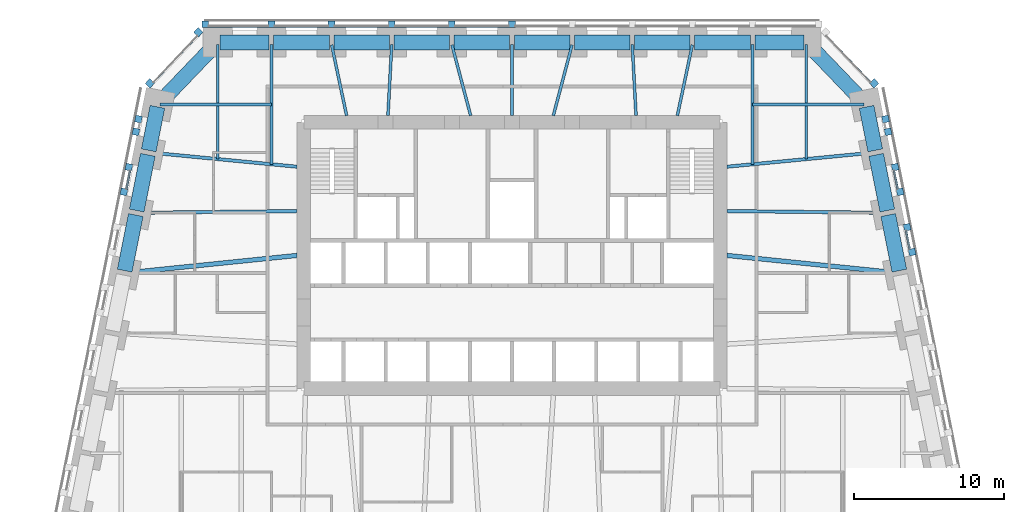
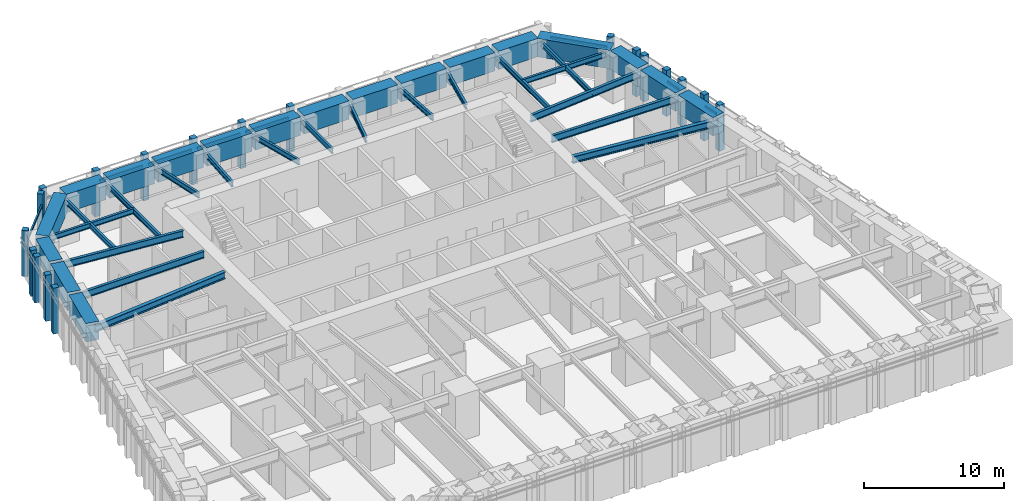
# One storey, part 4 of 16: 37 beams, 29 members, 8 elements without a shape of their own.
"""IFC4 building model written with IfcOpenShell, lengths in metres."""

from ifc_helpers import new_model, si_unit, direction, frame, origin, origin_2d, place, context, subcontext, project, spatial, rectangle, i_section, extrude, material, material_profile, profile_set, type_object, element, aggregate, save


model = new_model("IFC4")

# Units and contexts
model_context = context("Model", 3, precision=1e-05, world=origin(), true_north=direction((0.0, 1.0)))
body_context = subcontext(model_context, "Body", "Model", "MODEL_VIEW")
ifc_project = project(units=[si_unit("LENGTHUNIT", "METRE"), si_unit("AREAUNIT", "SQUARE_METRE"), si_unit("VOLUMEUNIT", "CUBIC_METRE"), si_unit("PLANEANGLEUNIT", "RADIAN"), si_unit("MASSUNIT", "GRAM", prefix="KILO")], contexts=[model_context])

# Site, building, storey
site_placement = place(None, origin())
site = spatial("IfcSite", under=ifc_project, at=site_placement, CompositionType="ELEMENT")
building_placement = place(site_placement, origin())
building = spatial("IfcBuilding", under=site, at=building_placement, Name="Isbrekke Arena Tower", CompositionType="ELEMENT")
storey_placement = place(building_placement, frame((0.0, 0.0, 40.0)))
storey = spatial("IfcBuildingStorey", under=building, at=storey_placement, Name="L07", CompositionType="ELEMENT", Elevation=40.0)

# Beams
ifc_material_1 = material(Name="Steel S355", Category="steel")
ifc_material_profile_1 = material_profile(ifc_material_1, i_section(OverallWidth=0.219970703125, OverallDepth=0.60009765625, WebThickness=0.011962890625, FlangeThickness=0.01904296875, FilletRadius=0.02392578125, at=origin_2d()), Name="IPE 600")
ifc_profile_set_1 = profile_set([ifc_material_profile_1], Name="Steel S355")
beam_type_1 = type_object("IfcBeamType", Name="B1 IPE 600", PredefinedType="BEAM", material=ifc_profile_set_1)
beam_1_placement = place(storey_placement, frame((24.83984375, 17.838134765625, 3.550048828125), z_axis=(-0.999943729589, 0.010608376645, 0.0), x_axis=(-0.010608376645, -0.999943729589, 0.0)))
element("IfcBeam", 1, at=beam_1_placement, inside=storey, type_object=beam_type_1, Name="B1 beam E-E09 L07", PredefinedType="BEAM", context=body_context, shape_type="SweptSolid", body=[
    extrude(i_section(OverallWidth=0.219970703125, OverallDepth=0.60009765625, WebThickness=0.011962890625, FlangeThickness=0.01904296875, FilletRadius=0.02392578125, at=origin_2d()), origin(), (0.0, 0.0, 1.0), 10.540283203125),
])
for number, where, z_axis, x_axis, name in (
    (2, (24.030517578125, 21.837158203125, 3.550048828125), (-0.995393091527, -0.095878012805, 0.0), (0.095878012805, -0.995393091527, 0.0), "B1 beam E-E10 L07"),
    (3, (-24.030517578125, 21.837158203125, 3.550048828125), (0.995393091527, -0.095878012805, 0.0), (0.095878012805, 0.995393091527, 0.0), "B1 beam E-W02 L07"),
):
    element("IfcBeam", number, at=place(storey_placement, frame(where, z_axis=z_axis, x_axis=x_axis)), inside=storey, type_object=beam_type_1, Name=name, PredefinedType="BEAM", context=body_context, shape_type="SweptSolid", body=[
        extrude(i_section(OverallWidth=0.219970703125, OverallDepth=0.60009765625, WebThickness=0.011962890625, FlangeThickness=0.01904296875, FilletRadius=0.02392578125, at=origin_2d()), origin(), (0.0, 0.0, 1.0), 9.775390625),
    ])
beam_2_placement = place(storey_placement, frame((-24.83984375, 17.838134765625, 3.550048828125), z_axis=(0.999943729589, 0.010608376645, 0.0), x_axis=(-0.010608376645, 0.999943729589, 0.0)))
element("IfcBeam", 4, at=beam_2_placement, inside=storey, type_object=beam_type_1, Name="B1 beam E-W03 L07", PredefinedType="BEAM", context=body_context, shape_type="SweptSolid", body=[
    extrude(i_section(OverallWidth=0.219970703125, OverallDepth=0.60009765625, WebThickness=0.011962890625, FlangeThickness=0.01904296875, FilletRadius=0.02392578125, at=origin_2d()), origin(), (0.0, 0.0, 1.0), 10.540283203125),
])
ifc_material_2 = material(Name="Steel S355", Category="steel")
ifc_material_profile_2 = material_profile(ifc_material_2, i_section(OverallWidth=0.18994140625, OverallDepth=0.449951171875, WebThickness=0.009521484375, FlangeThickness=0.0146484375, FilletRadius=0.02099609375, at=origin_2d()), Name="IPE 450")
ifc_profile_set_2 = profile_set([ifc_material_profile_2], Name="Steel S355")
beam_type_2 = type_object("IfcBeamType", Name="B2 IPE 450", PredefinedType="BEAM", material=ifc_profile_set_2)
for number, where, z_axis, x_axis, name in (
    (5, (23.40283203125, 25.029296875, 3.625), (-1.0, 0.0, 0.0), (0.0, -1.0, 0.0), "B2 beam E-E11 L07"),
    (6, (-23.40283203125, 25.029296875, 3.625), (1.0, 0.0, 0.0), (0.0, 1.0, 0.0), "B2 beam E-W01 L07"),
):
    element("IfcBeam", number, at=place(storey_placement, frame(where, z_axis=z_axis, x_axis=x_axis)), inside=storey, type_object=beam_type_2, Name=name, PredefinedType="BEAM", context=body_context, shape_type="SweptSolid", body=[
        extrude(i_section(OverallWidth=0.18994140625, OverallDepth=0.449951171875, WebThickness=0.009521484375, FlangeThickness=0.0146484375, FilletRadius=0.02099609375, at=origin_2d()), origin(), (0.0, 0.0, 1.0), 7.40283203125),
    ])
ifc_material_3 = material(Name="Steel S355", Category="steel")
ifc_material_profile_3 = material_profile(ifc_material_3, i_section(OverallWidth=0.18994140625, OverallDepth=0.449951171875, WebThickness=0.009521484375, FlangeThickness=0.0146484375, FilletRadius=0.02099609375, at=origin_2d()), Name="IPE 450")
ifc_profile_set_3 = profile_set([ifc_material_profile_3], Name="Steel S355")
beam_type_3 = type_object("IfcBeamType", Name="B3 IPE 450", PredefinedType="BEAM", material=ifc_profile_set_3)
beam_3_placement = place(storey_placement, frame((19.574951171875, 29.02490234375, 3.625), z_axis=(0.0, -1.0, 0.0), x_axis=(1.0, 0.0, 0.0)))
element("IfcBeam", 7, at=beam_3_placement, inside=storey, type_object=beam_type_3, Name="B3 beam N-N01 L07", PredefinedType="BEAM", context=body_context, shape_type="SweptSolid", body=[
    extrude(i_section(OverallWidth=0.18994140625, OverallDepth=0.449951171875, WebThickness=0.009521484375, FlangeThickness=0.0146484375, FilletRadius=0.02099609375, at=origin_2d()), origin(), (0.0, 0.0, 1.0), 7.616943359375),
])
for number, where, z_axis, x_axis, name in (
    (8, (16.0, 29.02490234375, 3.625), (0.0, -1.0, 0.0), (1.0, 0.0, 0.0), "B3 beam N-N02 L07"),
    (9, (-16.0, 29.02490234375, 3.625), (0.0, -1.0, 0.0), (1.0, 0.0, 0.0), "B3 beam N-N10 L07"),
):
    element("IfcBeam", number, at=place(storey_placement, frame(where, z_axis=z_axis, x_axis=x_axis)), inside=storey, type_object=beam_type_3, Name=name, PredefinedType="BEAM", context=body_context, shape_type="SweptSolid", body=[
        extrude(i_section(OverallWidth=0.18994140625, OverallDepth=0.449951171875, WebThickness=0.009521484375, FlangeThickness=0.0146484375, FilletRadius=0.02099609375, at=origin_2d()), origin(), (0.0, 0.0, 1.0), 7.961181640625),
    ])
beam_4_placement = place(storey_placement, frame((-19.574951171875, 29.02490234375, 3.625), z_axis=(0.0, -1.0, 0.0), x_axis=(1.0, 0.0, 0.0)))
element("IfcBeam", 10, at=beam_4_placement, inside=storey, type_object=beam_type_3, Name="B3 beam N-N11 L07", PredefinedType="BEAM", context=body_context, shape_type="SweptSolid", body=[
    extrude(i_section(OverallWidth=0.18994140625, OverallDepth=0.449951171875, WebThickness=0.009521484375, FlangeThickness=0.0146484375, FilletRadius=0.02099609375, at=origin_2d()), origin(), (0.0, 0.0, 1.0), 7.616943359375),
])
beam_5_placement = place(storey_placement, frame((11.995849609375, 29.005859375, 3.625), z_axis=(-0.207036135686, -0.978333296234, 0.0), x_axis=(0.978333296234, -0.207036135686, 0.0)))
element("IfcBeam", 11, at=beam_5_placement, inside=storey, type_object=beam_type_3, Name="B3 beam N-N03 L07", PredefinedType="BEAM", context=body_context, shape_type="SweptSolid", body=[
    extrude(i_section(OverallWidth=0.18994140625, OverallDepth=0.449951171875, WebThickness=0.009521484375, FlangeThickness=0.0146484375, FilletRadius=0.02099609375, at=origin_2d()), origin(), (0.0, 0.0, 1.0), 4.81005859375),
])
beam_6_placement = place(storey_placement, frame((8.000244140625, 29.02001953125, 3.625), z_axis=(0.05284078094, -0.998602950061, 0.0), x_axis=(0.998602950061, 0.05284078094, 0.0)))
element("IfcBeam", 12, at=beam_6_placement, inside=storey, type_object=beam_type_3, Name="B3 beam N-N04 L07", PredefinedType="BEAM", context=body_context, shape_type="SweptSolid", body=[
    extrude(i_section(OverallWidth=0.18994140625, OverallDepth=0.449951171875, WebThickness=0.009521484375, FlangeThickness=0.0146484375, FilletRadius=0.02099609375, at=origin_2d()), origin(), (0.0, 0.0, 1.0), 4.7265625),
])
beam_7_placement = place(storey_placement, frame((3.993896484375, 29.00146484375, 3.625), z_axis=(-0.255778031922, -0.966735536942, 0.0), x_axis=(0.966735536942, -0.255778031922, 0.0)))
element("IfcBeam", 13, at=beam_7_placement, inside=storey, type_object=beam_type_3, Name="B3 beam N-N05 L07", PredefinedType="BEAM", context=body_context, shape_type="SweptSolid", body=[
    extrude(i_section(OverallWidth=0.18994140625, OverallDepth=0.449951171875, WebThickness=0.009521484375, FlangeThickness=0.0146484375, FilletRadius=0.02099609375, at=origin_2d()), origin(), (0.0, 0.0, 1.0), 4.86328125),
])
beam_8_placement = place(storey_placement, frame((0.0, 29.02490234375, 3.625), z_axis=(0.0, -1.0, 0.0), x_axis=(1.0, 0.0, 0.0)))
element("IfcBeam", 14, at=beam_8_placement, inside=storey, type_object=beam_type_3, Name="B3 beam N-N06 L07", PredefinedType="BEAM", context=body_context, shape_type="SweptSolid", body=[
    extrude(i_section(OverallWidth=0.18994140625, OverallDepth=0.449951171875, WebThickness=0.009521484375, FlangeThickness=0.0146484375, FilletRadius=0.02099609375, at=origin_2d()), origin(), (0.0, 0.0, 1.0), 4.724853515625),
])
beam_9_placement = place(storey_placement, frame((-3.993896484375, 29.00146484375, 3.625), z_axis=(0.255778031922, -0.966735536942, 0.0), x_axis=(0.966735536942, 0.255778031922, 0.0)))
element("IfcBeam", 15, at=beam_9_placement, inside=storey, type_object=beam_type_3, Name="B3 beam N-N07 L07", PredefinedType="BEAM", context=body_context, shape_type="SweptSolid", body=[
    extrude(i_section(OverallWidth=0.18994140625, OverallDepth=0.449951171875, WebThickness=0.009521484375, FlangeThickness=0.0146484375, FilletRadius=0.02099609375, at=origin_2d()), origin(), (0.0, 0.0, 1.0), 4.86328125),
])
beam_10_placement = place(storey_placement, frame((-8.000244140625, 29.02001953125, 3.625), z_axis=(-0.05284078094, -0.998602950061, 0.0), x_axis=(0.998602950061, -0.05284078094, 0.0)))
element("IfcBeam", 16, at=beam_10_placement, inside=storey, type_object=beam_type_3, Name="B3 beam N-N08 L07", PredefinedType="BEAM", context=body_context, shape_type="SweptSolid", body=[
    extrude(i_section(OverallWidth=0.18994140625, OverallDepth=0.449951171875, WebThickness=0.009521484375, FlangeThickness=0.0146484375, FilletRadius=0.02099609375, at=origin_2d()), origin(), (0.0, 0.0, 1.0), 4.7265625),
])
beam_11_placement = place(storey_placement, frame((-11.995849609375, 29.005859375, 3.625), z_axis=(0.207036135686, -0.978333296234, 0.0), x_axis=(0.978333296234, 0.207036135686, 0.0)))
element("IfcBeam", 17, at=beam_11_placement, inside=storey, type_object=beam_type_3, Name="B3 beam N-N09 L07", PredefinedType="BEAM", context=body_context, shape_type="SweptSolid", body=[
    extrude(i_section(OverallWidth=0.18994140625, OverallDepth=0.449951171875, WebThickness=0.009521484375, FlangeThickness=0.0146484375, FilletRadius=0.02099609375, at=origin_2d()), origin(), (0.0, 0.0, 1.0), 4.81005859375),
])
ifc_material_4 = material(Name="Steel S355", Category="steel")
ifc_material_profile_4 = material_profile(ifc_material_4, i_section(OverallWidth=0.300048828125, OverallDepth=0.60009765625, WebThickness=0.015380859375, FlangeThickness=0.030029296875, FilletRadius=0.027099609375, at=origin_2d()), Name="HEB 600")
ifc_profile_set_4 = profile_set([ifc_material_profile_4], Name="Steel S355")
beam_type_4 = type_object("IfcBeamType", Name="B7 HEB 600", PredefinedType="BEAM", material=ifc_profile_set_4)
for number, where, z_axis, x_axis, name in (
    (18, (25.625732421875, 13.83984375, 3.550048828125), (-0.994794378016, 0.101902627384, 0.0), (-0.101902627384, -0.994794378016, 0.0), "B7 beam E-E08 L07"),
    (19, (-25.625732421875, 13.83984375, 3.550048828125), (0.994794378016, 0.101902627384, 0.0), (-0.101902627384, 0.994794378016, 0.0), "B7 beam E-W04 L07"),
):
    element("IfcBeam", number, at=place(storey_placement, frame(where, z_axis=z_axis, x_axis=x_axis)), inside=storey, type_object=beam_type_4, Name=name, PredefinedType="BEAM", context=body_context, shape_type="SweptSolid", body=[
        extrude(i_section(OverallWidth=0.300048828125, OverallDepth=0.60009765625, WebThickness=0.015380859375, FlangeThickness=0.030029296875, FilletRadius=0.027099609375, at=origin_2d()), origin(), (0.0, 0.0, 1.0), 11.385009765625),
    ])

# Curtain wall, members
ifc_material_5 = material(Name="Glazed aluminium curtain wall", Category="aluminium")
curtain_wall_type = type_object("IfcCurtainWallType", Name="CWL TOWER CURTAIN WALL LOW ZONE", PredefinedType="USERDEFINED", material=ifc_material_5)
curtain_wall_1_placement = place(storey_placement, origin())
curtain_wall_1 = element("IfcCurtainWall", 20, at=curtain_wall_1_placement, inside=storey, type_object=curtain_wall_type, Name="CWL curtain wall L07-E15", ObjectType="TOWER CURTAIN WALL LOW ZONE", PredefinedType="USERDEFINED")
ifc_material_6 = material(Name="Aluminium mullion, pale brick slip cladding", Category="masonry")
ifc_material_profile_5 = material_profile(ifc_material_6, rectangle(XDim=0.449951171875, YDim=0.449951171875, at=origin_2d()), Name="PIER 450X450")
ifc_profile_set_5 = profile_set([ifc_material_profile_5], Name="Aluminium mullion, pale brick slip cladding")
member_type_1 = type_object("IfcMemberType", Name="CWL-M PIER MULLION 450 x 450", PredefinedType="MULLION", material=ifc_profile_set_5)
member_1_placement = place(storey_placement, frame((26.60986328125, 15.225830078125, 0.0), z_axis=(0.0, 0.0, 1.0), x_axis=(-0.196116135138, 0.980580675691, 0.0)))
member_1 = element("IfcMember", 21, at=member_1_placement, type_object=member_type_1, Name="CWL-M mullion 1", PredefinedType="MULLION", context=body_context, shape_type="SweptSolid", body=[
    extrude(rectangle(XDim=0.449951171875, YDim=0.449951171875, at=origin_2d()), origin(), (0.0, 0.0, 1.0), 4.0),
])
member_2_placement = place(storey_placement, frame((26.280517578125, 16.872314453125, 0.0), z_axis=(0.0, 0.0, 1.0), x_axis=(-0.196116135138, 0.980580675691, 0.0)))
member_2 = element("IfcMember", 22, at=member_2_placement, type_object=member_type_1, Name="CWL-M mullion 2", PredefinedType="MULLION", context=body_context, shape_type="SweptSolid", body=[
    extrude(rectangle(XDim=0.449951171875, YDim=0.449951171875, at=origin_2d()), origin(), (0.0, 0.0, 1.0), 4.0),
])

curtain_wall_2_placement = place(storey_placement, origin())
curtain_wall_2 = element("IfcCurtainWall", 23, at=curtain_wall_2_placement, inside=storey, type_object=curtain_wall_type, Name="CWL curtain wall L07-E17", ObjectType="TOWER CURTAIN WALL LOW ZONE", PredefinedType="USERDEFINED")
member_3_placement = place(storey_placement, frame((25.809814453125, 19.225830078125, 0.0), z_axis=(0.0, 0.0, 1.0), x_axis=(-0.196116135138, 0.980580675691, 0.0)))
member_3 = element("IfcMember", 24, at=member_3_placement, type_object=member_type_1, Name="CWL-M mullion 1", PredefinedType="MULLION", context=body_context, shape_type="SweptSolid", body=[
    extrude(rectangle(XDim=0.449951171875, YDim=0.449951171875, at=origin_2d()), origin(), (0.0, 0.0, 1.0), 4.0),
])
member_4_placement = place(storey_placement, frame((25.48046875, 20.872314453125, 0.0), z_axis=(0.0, 0.0, 1.0), x_axis=(-0.196116135138, 0.980580675691, 0.0)))
member_4 = element("IfcMember", 25, at=member_4_placement, type_object=member_type_1, Name="CWL-M mullion 2", PredefinedType="MULLION", context=body_context, shape_type="SweptSolid", body=[
    extrude(rectangle(XDim=0.449951171875, YDim=0.449951171875, at=origin_2d()), origin(), (0.0, 0.0, 1.0), 4.0),
])

curtain_wall_3_placement = place(storey_placement, origin())
curtain_wall_3 = element("IfcCurtainWall", 26, at=curtain_wall_3_placement, inside=storey, type_object=curtain_wall_type, Name="CWL curtain wall L07-E19", ObjectType="TOWER CURTAIN WALL LOW ZONE", PredefinedType="USERDEFINED")
member_5_placement = place(storey_placement, frame((25.009765625, 23.225830078125, 0.0), z_axis=(0.0, 0.0, 1.0), x_axis=(-0.196116135138, 0.980580675691, 0.0)))
member_5 = element("IfcMember", 27, at=member_5_placement, type_object=member_type_1, Name="CWL-M mullion 1", PredefinedType="MULLION", context=body_context, shape_type="SweptSolid", body=[
    extrude(rectangle(XDim=0.449951171875, YDim=0.449951171875, at=origin_2d()), origin(), (0.0, 0.0, 1.0), 4.0),
])
member_6_placement = place(storey_placement, frame((24.841796875, 24.065185546875, 0.0), z_axis=(0.0, 0.0, 1.0), x_axis=(-0.196116135138, 0.980580675691, 0.0)))
member_6 = element("IfcMember", 28, at=member_6_placement, type_object=member_type_1, Name="CWL-M mullion 2", PredefinedType="MULLION", context=body_context, shape_type="SweptSolid", body=[
    extrude(rectangle(XDim=0.449951171875, YDim=0.449951171875, at=origin_2d()), origin(), (0.0, 0.0, 1.0), 4.0),
])
aggregate(curtain_wall_3, [member_5, member_6])

# Curtain wall, member
curtain_wall_4_placement = place(storey_placement, origin())
curtain_wall_4 = element("IfcCurtainWall", 29, at=curtain_wall_4_placement, inside=storey, type_object=curtain_wall_type, Name="CWL curtain wall L07-EN", ObjectType="TOWER CURTAIN WALL LOW ZONE", PredefinedType="USERDEFINED")
member_7_placement = place(storey_placement, frame((24.08837890625, 26.444091796875, 0.0), z_axis=(0.0, 0.0, 1.0), x_axis=(-0.68874946192, 0.72499943359, 0.0)))
member_7 = element("IfcMember", 30, at=member_7_placement, type_object=member_type_1, Name="CWL-M mullion 1", PredefinedType="MULLION", context=body_context, shape_type="SweptSolid", body=[
    extrude(rectangle(XDim=0.449951171875, YDim=0.449951171875, at=origin_2d()), origin(), (0.0, 0.0, 1.0), 4.0),
])

# Curtain wall, members
curtain_wall_5_placement = place(storey_placement, origin())
curtain_wall_5 = element("IfcCurtainWall", 31, at=curtain_wall_5_placement, inside=storey, type_object=curtain_wall_type, Name="CWL curtain wall L07-N", ObjectType="TOWER CURTAIN WALL LOW ZONE", PredefinedType="USERDEFINED")
member_8_placement = place(storey_placement, frame((0.0, 30.375, 0.0), z_axis=(0.0, 0.0, 1.0), x_axis=(-1.0, 0.0, 0.0)))
member_8 = element("IfcMember", 32, at=member_8_placement, type_object=member_type_1, Name="CWL-M mullion 6", PredefinedType="MULLION", context=body_context, shape_type="SweptSolid", body=[
    extrude(rectangle(XDim=0.449951171875, YDim=0.449951171875, at=origin_2d()), origin(), (0.0, 0.0, 1.0), 4.0),
])
member_9_placement = place(storey_placement, frame((-4.0, 30.375, 0.0), z_axis=(0.0, 0.0, 1.0), x_axis=(-1.0, 0.0, 0.0)))
member_9 = element("IfcMember", 33, at=member_9_placement, type_object=member_type_1, Name="CWL-M mullion 7", PredefinedType="MULLION", context=body_context, shape_type="SweptSolid", body=[
    extrude(rectangle(XDim=0.449951171875, YDim=0.449951171875, at=origin_2d()), origin(), (0.0, 0.0, 1.0), 4.0),
])
member_10_placement = place(storey_placement, frame((-8.0, 30.375, 0.0), z_axis=(0.0, 0.0, 1.0), x_axis=(-1.0, 0.0, 0.0)))
member_10 = element("IfcMember", 34, at=member_10_placement, type_object=member_type_1, Name="CWL-M mullion 8", PredefinedType="MULLION", context=body_context, shape_type="SweptSolid", body=[
    extrude(rectangle(XDim=0.449951171875, YDim=0.449951171875, at=origin_2d()), origin(), (0.0, 0.0, 1.0), 4.0),
])
member_11_placement = place(storey_placement, frame((-12.0, 30.375, 0.0), z_axis=(0.0, 0.0, 1.0), x_axis=(-1.0, 0.0, 0.0)))
member_11 = element("IfcMember", 35, at=member_11_placement, type_object=member_type_1, Name="CWL-M mullion 9", PredefinedType="MULLION", context=body_context, shape_type="SweptSolid", body=[
    extrude(rectangle(XDim=0.449951171875, YDim=0.449951171875, at=origin_2d()), origin(), (0.0, 0.0, 1.0), 4.0),
])
member_12_placement = place(storey_placement, frame((-16.0, 30.375, 0.0), z_axis=(0.0, 0.0, 1.0), x_axis=(-1.0, 0.0, 0.0)))
member_12 = element("IfcMember", 36, at=member_12_placement, type_object=member_type_1, Name="CWL-M mullion 10", PredefinedType="MULLION", context=body_context, shape_type="SweptSolid", body=[
    extrude(rectangle(XDim=0.449951171875, YDim=0.449951171875, at=origin_2d()), origin(), (0.0, 0.0, 1.0), 4.0),
])
member_13_placement = place(storey_placement, frame((-20.39990234375, 30.375, 0.0), z_axis=(0.0, 0.0, 1.0), x_axis=(-1.0, 0.0, 0.0)))
member_13 = element("IfcMember", 37, at=member_13_placement, type_object=member_type_1, Name="CWL-M mullion 11", PredefinedType="MULLION", context=body_context, shape_type="SweptSolid", body=[
    extrude(rectangle(XDim=0.449951171875, YDim=0.449951171875, at=origin_2d()), origin(), (0.0, 0.0, 1.0), 4.0),
])

curtain_wall_6_placement = place(storey_placement, origin())
curtain_wall_6 = element("IfcCurtainWall", 38, at=curtain_wall_6_placement, inside=storey, type_object=curtain_wall_type, Name="CWL curtain wall L07-NW", ObjectType="TOWER CURTAIN WALL LOW ZONE", PredefinedType="USERDEFINED")
member_14_placement = place(storey_placement, frame((-20.86572265625, 29.83642578125, 0.0), z_axis=(0.0, 0.0, 1.0), x_axis=(-0.68874946192, -0.72499943359, 0.0)))
member_14 = element("IfcMember", 39, at=member_14_placement, type_object=member_type_1, Name="CWL-M mullion 1", PredefinedType="MULLION", context=body_context, shape_type="SweptSolid", body=[
    extrude(rectangle(XDim=0.449951171875, YDim=0.449951171875, at=origin_2d()), origin(), (0.0, 0.0, 1.0), 4.0),
])
member_15_placement = place(storey_placement, frame((-24.087890625, 26.44482421875, 0.0), z_axis=(0.0, 0.0, 1.0), x_axis=(-0.68874946192, -0.72499943359, 0.0)))
member_15 = element("IfcMember", 40, at=member_15_placement, type_object=member_type_1, Name="CWL-M mullion 2", PredefinedType="MULLION", context=body_context, shape_type="SweptSolid", body=[
    extrude(rectangle(XDim=0.449951171875, YDim=0.449951171875, at=origin_2d()), origin(), (0.0, 0.0, 1.0), 4.0),
])

curtain_wall_7_placement = place(storey_placement, origin())
curtain_wall_7 = element("IfcCurtainWall", 41, at=curtain_wall_7_placement, inside=storey, type_object=curtain_wall_type, Name="CWL curtain wall L07-W", ObjectType="TOWER CURTAIN WALL LOW ZONE", PredefinedType="USERDEFINED")
member_16_placement = place(storey_placement, frame((-24.841796875, 24.065185546875, 0.0), z_axis=(0.0, 0.0, 1.0), x_axis=(-0.196116135138, -0.980580675691, 0.0)))
member_16 = element("IfcMember", 42, at=member_16_placement, type_object=member_type_1, Name="CWL-M mullion 1", PredefinedType="MULLION", context=body_context, shape_type="SweptSolid", body=[
    extrude(rectangle(XDim=0.449951171875, YDim=0.449951171875, at=origin_2d()), origin(), (0.0, 0.0, 1.0), 4.0),
])
member_17_placement = place(storey_placement, frame((-25.009765625, 23.225830078125, 0.0), z_axis=(0.0, 0.0, 1.0), x_axis=(-0.196116135138, -0.980580675691, 0.0)))
member_17 = element("IfcMember", 43, at=member_17_placement, type_object=member_type_1, Name="CWL-M mullion 2", PredefinedType="MULLION", context=body_context, shape_type="SweptSolid", body=[
    extrude(rectangle(XDim=0.449951171875, YDim=0.449951171875, at=origin_2d()), origin(), (0.0, 0.0, 1.0), 4.0),
])
aggregate(curtain_wall_7, [member_16, member_17])

curtain_wall_8_placement = place(storey_placement, origin())
curtain_wall_8 = element("IfcCurtainWall", 44, at=curtain_wall_8_placement, inside=storey, type_object=curtain_wall_type, Name="CWL curtain wall L07-W3", ObjectType="TOWER CURTAIN WALL LOW ZONE", PredefinedType="USERDEFINED")
member_18_placement = place(storey_placement, frame((-25.48046875, 20.872314453125, 0.0), z_axis=(0.0, 0.0, 1.0), x_axis=(-0.196116135138, -0.980580675691, 0.0)))
member_18 = element("IfcMember", 45, at=member_18_placement, type_object=member_type_1, Name="CWL-M mullion 1", PredefinedType="MULLION", context=body_context, shape_type="SweptSolid", body=[
    extrude(rectangle(XDim=0.449951171875, YDim=0.449951171875, at=origin_2d()), origin(), (0.0, 0.0, 1.0), 4.0),
])
member_19_placement = place(storey_placement, frame((-25.809814453125, 19.225830078125, 0.0), z_axis=(0.0, 0.0, 1.0), x_axis=(-0.196116135138, -0.980580675691, 0.0)))
member_19 = element("IfcMember", 46, at=member_19_placement, type_object=member_type_1, Name="CWL-M mullion 2", PredefinedType="MULLION", context=body_context, shape_type="SweptSolid", body=[
    extrude(rectangle(XDim=0.449951171875, YDim=0.449951171875, at=origin_2d()), origin(), (0.0, 0.0, 1.0), 4.0),
])

# Member
ifc_material_7 = material(Name="Aluminium transom", Category="aluminium")
ifc_material_profile_6 = material_profile(ifc_material_7, rectangle(XDim=0.1201171875, YDim=0.199951171875, at=origin_2d()), Name="TRANSOM 120X200")
ifc_profile_set_6 = profile_set([ifc_material_profile_6], Name="Aluminium transom")
member_type_2 = type_object("IfcMemberType", Name="CWL-T TRANSOM 120 x 200", PredefinedType="USERDEFINED", material=ifc_profile_set_6)
member_20_placement = place(storey_placement, frame((26.443115234375, 15.421875, 3.0), z_axis=(-0.196039741533, 0.980595951317, 0.0), x_axis=(-0.980595951317, -0.196039741533, 0.0)))
member_20 = element("IfcMember", 47, at=member_20_placement, type_object=member_type_2, Name="CWL-T transom 1", ObjectType="TRANSOM", PredefinedType="USERDEFINED", context=body_context, shape_type="SweptSolid", body=[
    extrude(rectangle(XDim=0.1201171875, YDim=0.199951171875, at=origin_2d()), origin(), (0.0, 0.0, 1.0), 1.229248046875),
])

aggregate(curtain_wall_1, [member_1, member_2, member_20])

member_21_placement = place(storey_placement, frame((25.64306640625, 19.421875, 3.0), z_axis=(-0.196039741533, 0.980595951317, 0.0), x_axis=(-0.980595951317, -0.196039741533, 0.0)))
member_21 = element("IfcMember", 48, at=member_21_placement, type_object=member_type_2, Name="CWL-T transom 1", ObjectType="TRANSOM", PredefinedType="USERDEFINED", context=body_context, shape_type="SweptSolid", body=[
    extrude(rectangle(XDim=0.1201171875, YDim=0.199951171875, at=origin_2d()), origin(), (0.0, 0.0, 1.0), 1.229248046875),
])

aggregate(curtain_wall_2, [member_3, member_4, member_21])

member_22_placement = place(storey_placement, frame((23.8427734375, 26.521240234375, 3.0), z_axis=(-0.688776771287, 0.724973488712, 0.0), x_axis=(-0.724973488712, -0.688776771287, 0.0)))
member_22 = element("IfcMember", 49, at=member_22_placement, type_object=member_type_2, Name="CWL-T transom 1", ObjectType="TRANSOM", PredefinedType="USERDEFINED", context=body_context, shape_type="SweptSolid", body=[
    extrude(rectangle(XDim=0.1201171875, YDim=0.199951171875, at=origin_2d()), origin(), (0.0, 0.0, 1.0), 4.22900390625),
])

aggregate(curtain_wall_4, [member_7, member_22])

member_23_placement = place(storey_placement, frame((-0.22509765625, 30.25, 3.0), z_axis=(-1.0, 0.0, 0.0), x_axis=(0.0, -1.0, 0.0)))
member_23 = element("IfcMember", 50, at=member_23_placement, type_object=member_type_2, Name="CWL-T transom 6", ObjectType="TRANSOM", PredefinedType="USERDEFINED", context=body_context, shape_type="SweptSolid", body=[
    extrude(rectangle(XDim=0.1201171875, YDim=0.199951171875, at=origin_2d()), origin(), (0.0, 0.0, 1.0), 3.5498046875),
])

member_24_placement = place(storey_placement, frame((-4.22509765625, 30.25, 3.0), z_axis=(-1.0, 0.0, 0.0), x_axis=(0.0, -1.0, 0.0)))
member_24 = element("IfcMember", 51, at=member_24_placement, type_object=member_type_2, Name="CWL-T transom 7", ObjectType="TRANSOM", PredefinedType="USERDEFINED", context=body_context, shape_type="SweptSolid", body=[
    extrude(rectangle(XDim=0.1201171875, YDim=0.199951171875, at=origin_2d()), origin(), (0.0, 0.0, 1.0), 3.5498046875),
])

member_25_placement = place(storey_placement, frame((-8.22509765625, 30.25, 3.0), z_axis=(-1.0, 0.0, 0.0), x_axis=(0.0, -1.0, 0.0)))
member_25 = element("IfcMember", 52, at=member_25_placement, type_object=member_type_2, Name="CWL-T transom 8", ObjectType="TRANSOM", PredefinedType="USERDEFINED", context=body_context, shape_type="SweptSolid", body=[
    extrude(rectangle(XDim=0.1201171875, YDim=0.199951171875, at=origin_2d()), origin(), (0.0, 0.0, 1.0), 3.5498046875),
])

member_26_placement = place(storey_placement, frame((-12.22509765625, 30.25, 3.0), z_axis=(-1.0, 0.0, 0.0), x_axis=(0.0, -1.0, 0.0)))
member_26 = element("IfcMember", 53, at=member_26_placement, type_object=member_type_2, Name="CWL-T transom 9", ObjectType="TRANSOM", PredefinedType="USERDEFINED", context=body_context, shape_type="SweptSolid", body=[
    extrude(rectangle(XDim=0.1201171875, YDim=0.199951171875, at=origin_2d()), origin(), (0.0, 0.0, 1.0), 3.5498046875),
])

member_27_placement = place(storey_placement, frame((-16.22509765625, 30.25, 3.0), z_axis=(-1.0, 0.0, 0.0), x_axis=(0.0, -1.0, 0.0)))
member_27 = element("IfcMember", 54, at=member_27_placement, type_object=member_type_2, Name="CWL-T transom 10", ObjectType="TRANSOM", PredefinedType="USERDEFINED", context=body_context, shape_type="SweptSolid", body=[
    extrude(rectangle(XDim=0.1201171875, YDim=0.199951171875, at=origin_2d()), origin(), (0.0, 0.0, 1.0), 3.949951171875),
])

aggregate(curtain_wall_5, [member_8, member_9, member_10, member_11, member_12, member_13, member_23, member_24, member_25, member_26, member_27])

member_28_placement = place(storey_placement, frame((-20.93017578125, 29.587158203125, 3.0), z_axis=(-0.6887433918, -0.725005200155, 0.0), x_axis=(0.725005200155, -0.6887433918, 0.0)))
member_28 = element("IfcMember", 55, at=member_28_placement, type_object=member_type_2, Name="CWL-T transom 1", ObjectType="TRANSOM", PredefinedType="USERDEFINED", context=body_context, shape_type="SweptSolid", body=[
    extrude(rectangle(XDim=0.1201171875, YDim=0.199951171875, at=origin_2d()), origin(), (0.0, 0.0, 1.0), 4.22802734375),
])

aggregate(curtain_wall_6, [member_14, member_15, member_28])

member_29_placement = place(storey_placement, frame((-25.402099609375, 20.627197265625, 3.0), z_axis=(-0.196039741533, -0.980595951317, 0.0), x_axis=(0.980595951317, -0.196039741533, 0.0)))
member_29 = element("IfcMember", 56, at=member_29_placement, type_object=member_type_2, Name="CWL-T transom 1", ObjectType="TRANSOM", PredefinedType="USERDEFINED", context=body_context, shape_type="SweptSolid", body=[
    extrude(rectangle(XDim=0.1201171875, YDim=0.199951171875, at=origin_2d()), origin(), (0.0, 0.0, 1.0), 1.229248046875),
])

aggregate(curtain_wall_8, [member_18, member_19, member_29])

# Beams
ifc_material_8 = material(Name="Concrete B90 (C90/105)", Category="concrete")
ifc_material_profile_7 = material_profile(ifc_material_8, rectangle(XDim=1.0, YDim=1.60009765625, at=origin_2d()), Name="RC 1000x1600")
ifc_profile_set_7 = profile_set([ifc_material_profile_7], Name="Concrete B90 (C90/105)")
beam_type_5 = type_object("IfcBeamType", Name="SB1 RC 1000 x 1600", PredefinedType="SPANDREL", material=ifc_profile_set_7)
for number, where, z_axis, x_axis, name in (
    (57, (25.76171875, 13.9853515625, 3.199951171875), (-0.196128558387, 0.980578190959, 0.0), (-0.980578190959, -0.196128558387, 0.0), "SB1 spandrel E08-E09 L07"),
    (58, (24.961669921875, 17.9853515625, 3.199951171875), (-0.196128558387, 0.980578190959, 0.0), (-0.980578190959, -0.196128558387, 0.0), "SB1 spandrel E09-E10 L07"),
):
    element("IfcBeam", number, at=place(storey_placement, frame(where, z_axis=z_axis, x_axis=x_axis)), inside=storey, type_object=beam_type_5, Name=name, PredefinedType="SPANDREL", context=body_context, shape_type="SweptSolid", body=[
        extrude(rectangle(XDim=1.0, YDim=1.60009765625, at=origin_2d()), origin(), (0.0, 0.0, 1.0), 3.779296875),
    ])
beam_12_placement = place(storey_placement, frame((24.16162109375, 21.9853515625, 3.199951171875), z_axis=(-0.196116135138, 0.980580675691, 0.0), x_axis=(-0.980580675691, -0.196116135138, 0.0)))
element("IfcBeam", 59, at=beam_12_placement, inside=storey, type_object=beam_type_5, Name="SB1 spandrel E10-E11 L07", PredefinedType="SPANDREL", context=body_context, shape_type="SweptSolid", body=[
    extrude(rectangle(XDim=1.0, YDim=1.60009765625, at=origin_2d()), origin(), (0.0, 0.0, 1.0), 2.9541015625),
])
beam_13_placement = place(storey_placement, frame((23.448974609375, 25.137451171875, 3.199951171875), z_axis=(-0.692339547635, 0.721571861134, 0.0), x_axis=(-0.721571861134, -0.692339547635, 0.0)))
element("IfcBeam", 60, at=beam_13_placement, inside=storey, type_object=beam_type_5, Name="SB1 spandrel E11-N01 L07", PredefinedType="SPANDREL", context=body_context, shape_type="SweptSolid", body=[
    extrude(rectangle(XDim=1.0, YDim=1.60009765625, at=origin_2d()), origin(), (0.0, 0.0, 1.0), 5.4453125),
])
beam_14_placement = place(storey_placement, frame((19.425048828125, 29.175048828125, 3.199951171875), z_axis=(-1.0, 0.0, 0.0), x_axis=(0.0, -1.0, 0.0)))
element("IfcBeam", 61, at=beam_14_placement, inside=storey, type_object=beam_type_5, Name="SB1 spandrel N01-N02 L07", PredefinedType="SPANDREL", context=body_context, shape_type="SweptSolid", body=[
    extrude(rectangle(XDim=1.0, YDim=1.60009765625, at=origin_2d()), origin(), (0.0, 0.0, 1.0), 3.275146484375),
])
for number, where, z_axis, x_axis, name in (
    (62, (15.85009765625, 29.175048828125, 3.199951171875), (-1.0, 0.0, 0.0), (0.0, -1.0, 0.0), "SB1 spandrel N02-N03 L07"),
    (63, (11.85009765625, 29.175048828125, 3.199951171875), (-1.0, 0.0, 0.0), (0.0, -1.0, 0.0), "SB1 spandrel N03-N04 L07"),
    (64, (7.85009765625, 29.175048828125, 3.199951171875), (-1.0, 0.0, 0.0), (0.0, -1.0, 0.0), "SB1 spandrel N04-N05 L07"),
    (65, (3.85009765625, 29.175048828125, 3.199951171875), (-1.0, 0.0, 0.0), (0.0, -1.0, 0.0), "SB1 spandrel N05-N06 L07"),
    (66, (-0.14990234375, 29.175048828125, 3.199951171875), (-1.0, 0.0, 0.0), (0.0, -1.0, 0.0), "SB1 spandrel N06-N07 L07"),
    (67, (-4.14990234375, 29.175048828125, 3.199951171875), (-1.0, 0.0, 0.0), (0.0, -1.0, 0.0), "SB1 spandrel N07-N08 L07"),
    (68, (-8.14990234375, 29.175048828125, 3.199951171875), (-1.0, 0.0, 0.0), (0.0, -1.0, 0.0), "SB1 spandrel N08-N09 L07"),
    (69, (-12.14990234375, 29.175048828125, 3.199951171875), (-1.0, 0.0, 0.0), (0.0, -1.0, 0.0), "SB1 spandrel N09-N10 L07"),
):
    element("IfcBeam", number, at=place(storey_placement, frame(where, z_axis=z_axis, x_axis=x_axis)), inside=storey, type_object=beam_type_5, Name=name, PredefinedType="SPANDREL", context=body_context, shape_type="SweptSolid", body=[
        extrude(rectangle(XDim=1.0, YDim=1.60009765625, at=origin_2d()), origin(), (0.0, 0.0, 1.0), 3.7001953125),
    ])
beam_15_placement = place(storey_placement, frame((-16.14990234375, 29.175048828125, 3.199951171875), z_axis=(-1.0, 0.0, 0.0), x_axis=(0.0, -1.0, 0.0)))
element("IfcBeam", 70, at=beam_15_placement, inside=storey, type_object=beam_type_5, Name="SB1 spandrel N10-N11 L07", PredefinedType="SPANDREL", context=body_context, shape_type="SweptSolid", body=[
    extrude(rectangle(XDim=1.0, YDim=1.60009765625, at=origin_2d()), origin(), (0.0, 0.0, 1.0), 3.275146484375),
])
beam_16_placement = place(storey_placement, frame((-19.678955078125, 29.066650390625, 3.199951171875), z_axis=(-0.692339547635, -0.721571861134, 0.0), x_axis=(0.721571861134, -0.692339547635, 0.0)))
element("IfcBeam", 71, at=beam_16_placement, inside=storey, type_object=beam_type_5, Name="SB1 spandrel N11-W01 L07", PredefinedType="SPANDREL", context=body_context, shape_type="SweptSolid", body=[
    extrude(rectangle(XDim=1.0, YDim=1.60009765625, at=origin_2d()), origin(), (0.0, 0.0, 1.0), 5.4453125),
])
beam_17_placement = place(storey_placement, frame((-23.582275390625, 24.882080078125, 3.199951171875), z_axis=(-0.196116135138, -0.980580675691, 0.0), x_axis=(0.980580675691, -0.196116135138, 0.0)))
element("IfcBeam", 72, at=beam_17_placement, inside=storey, type_object=beam_type_5, Name="SB1 spandrel W01-W02 L07", PredefinedType="SPANDREL", context=body_context, shape_type="SweptSolid", body=[
    extrude(rectangle(XDim=1.0, YDim=1.60009765625, at=origin_2d()), origin(), (0.0, 0.0, 1.0), 2.9541015625),
])
for number, where, z_axis, x_axis, name in (
    (73, (-24.220458984375, 21.691162109375, 3.199951171875), (-0.196128558387, -0.980578190959, 0.0), (0.980578190959, -0.196128558387, 0.0), "SB1 spandrel W02-W03 L07"),
    (74, (-25.0205078125, 17.691162109375, 3.199951171875), (-0.196128558387, -0.980578190959, 0.0), (0.980578190959, -0.196128558387, 0.0), "SB1 spandrel W03-W04 L07"),
):
    element("IfcBeam", number, at=place(storey_placement, frame(where, z_axis=z_axis, x_axis=x_axis)), inside=storey, type_object=beam_type_5, Name=name, PredefinedType="SPANDREL", context=body_context, shape_type="SweptSolid", body=[
        extrude(rectangle(XDim=1.0, YDim=1.60009765625, at=origin_2d()), origin(), (0.0, 0.0, 1.0), 3.779296875),
    ])

save(model, "model.ifc")
